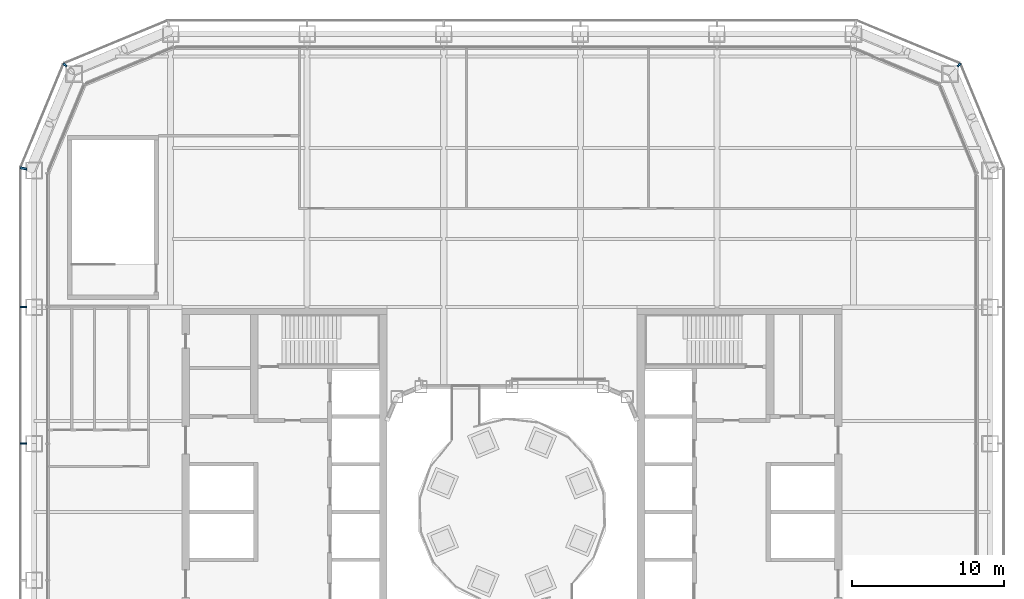
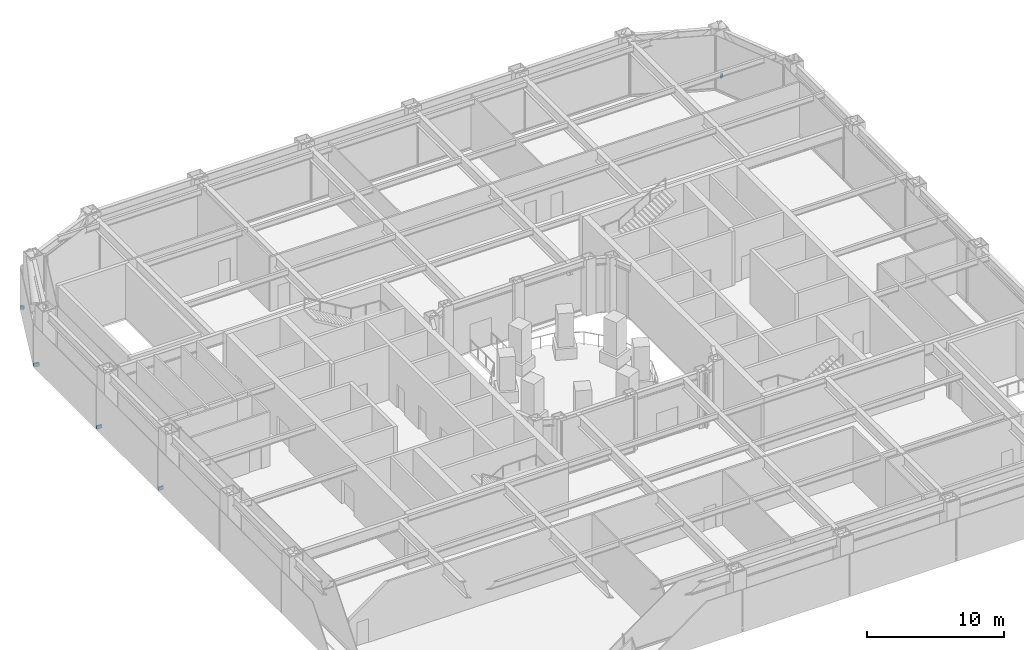
# One storey, part 17 of 25: 5 discrete accessories.
"""IFC4 building model written with IfcOpenShell, lengths in metres."""

from ifc_helpers import new_model, si_unit, direction, frame, origin, origin_2d, place, context, subcontext, project, spatial, rectangle, extrude, material, type_object, element, save


model = new_model("IFC4")

# Units and contexts
model_context = context("Model", 3, precision=1e-05, world=origin(), true_north=direction((0.0, 1.0)))
body_context = subcontext(model_context, "Body", "Model", "MODEL_VIEW")
ifc_project = project(units=[si_unit("LENGTHUNIT", "METRE"), si_unit("AREAUNIT", "SQUARE_METRE"), si_unit("VOLUMEUNIT", "CUBIC_METRE"), si_unit("PLANEANGLEUNIT", "RADIAN"), si_unit("MASSUNIT", "GRAM", prefix="KILO")], contexts=[model_context])

# Site, building, storey
site_placement = place(None, origin())
site = spatial("IfcSite", under=ifc_project, at=site_placement, CompositionType="ELEMENT")
building_placement = place(site_placement, origin())
building = spatial("IfcBuilding", under=site, at=building_placement, Name="Siwar Civic Tower", CompositionType="ELEMENT")
storey_placement = place(building_placement, frame((0.0, 0.0, 17.199951171875)))
storey = spatial("IfcBuildingStorey", under=building, at=storey_placement, Name="L03", CompositionType="ELEMENT", Elevation=17.199951171875)

# Discrete accessories
ifc_material = material(Name="Stainless steel 316", Category="steel")
discrete_accessory_type = type_object("IfcDiscreteAccessoryType", Name="ENV-BRACKET", PredefinedType="BRACKET", material=ifc_material)
for number, where, z_axis, x_axis, name in (
    (1, (29.451416015625, 29.451416015625, -0.14990234375), (0.0, 0.0, 1.0), (0.707106781187, 0.707106781187, 0.0), "Bracket outer skin joint V05"),
    (2, (-29.451416015625, 29.451416015625, -0.14990234375), (0.0, 0.0, 1.0), (-0.707106781187, 0.707106781187, 0.0), "Bracket outer skin joint V08"),
):
    element("IfcDiscreteAccessory", number, at=place(storey_placement, frame(where, z_axis=z_axis, x_axis=x_axis)), inside=storey, type_object=discrete_accessory_type, Name=name, PredefinedType="BRACKET", context=body_context, shape_type="SweptSolid", body=[
        extrude(rectangle(XDim=0.287109375, YDim=0.12939453125, at=origin_2d()), origin(), (0.0, 0.0, 1.0), 0.300048828125),
    ])
discrete_accessory_placement = place(storey_placement, frame((-32.190185546875, 22.63720703125, -0.14990234375), z_axis=(0.0, 0.0, 1.0), x_axis=(-0.980785280403, 0.195090322016, 0.0)))
element("IfcDiscreteAccessory", 3, at=discrete_accessory_placement, inside=storey, type_object=discrete_accessory_type, Name="Bracket outer skin joint V09", PredefinedType="BRACKET", context=body_context, shape_type="SweptSolid", body=[
    extrude(rectangle(XDim=0.427734375, YDim=0.13720703125, at=origin_2d()), origin(), (0.0, 0.0, 1.0), 0.300048828125),
])
for number, where, z_axis, x_axis, name in (
    (4, (-32.18994140625, 13.5, -0.14990234375), (0.0, 0.0, 1.0), (-1.0, 0.0, 0.0), "Bracket outer skin joint W-01"),
    (5, (-32.18994140625, 4.5, -0.14990234375), (0.0, 0.0, 1.0), (-1.0, 0.0, 0.0), "Bracket outer skin joint W-02"),
):
    element("IfcDiscreteAccessory", number, at=place(storey_placement, frame(where, z_axis=z_axis, x_axis=x_axis)), inside=storey, type_object=discrete_accessory_type, Name=name, PredefinedType="BRACKET", context=body_context, shape_type="SweptSolid", body=[
        extrude(rectangle(XDim=0.419921875, YDim=0.10009765625, at=origin_2d()), origin(), (0.0, 0.0, 1.0), 0.300048828125),
    ])

save(model, "model.ifc")
